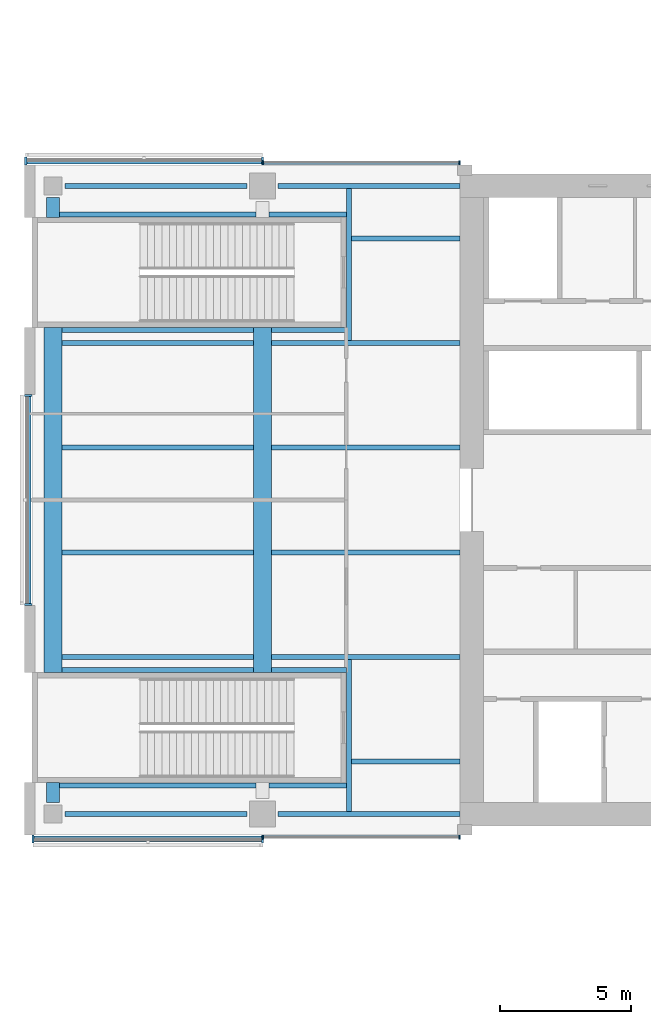
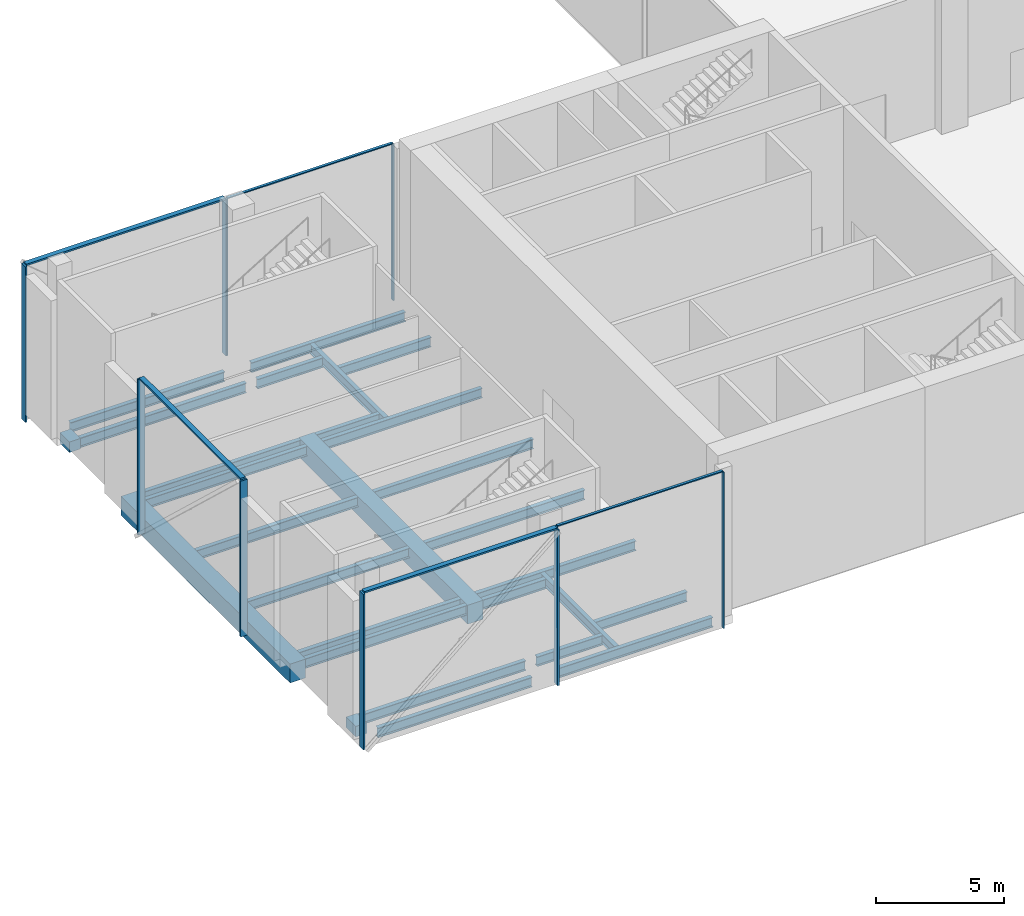
# One storey, part 4 of 25: 28 beams, 15 members, 5 elements without a shape of their own.
"""IFC4 building model written with IfcOpenShell, lengths in metres."""

from ifc_helpers import new_model, si_unit, direction, frame, origin, origin_2d, place, context, subcontext, project, spatial, rectangle, i_section, extrude, material, material_profile, profile_set, type_object, element, aggregate, save


model = new_model("IFC4")

# Units and contexts
model_context = context("Model", 3, precision=1e-05, world=origin(), true_north=direction((0.0, 1.0)))
body_context = subcontext(model_context, "Body", "Model", "MODEL_VIEW")
ifc_project = project(units=[si_unit("LENGTHUNIT", "METRE"), si_unit("AREAUNIT", "SQUARE_METRE"), si_unit("VOLUMEUNIT", "CUBIC_METRE"), si_unit("PLANEANGLEUNIT", "RADIAN"), si_unit("MASSUNIT", "GRAM", prefix="KILO")], contexts=[model_context])

# Site, building, storey
site_placement = place(None, origin())
site = spatial("IfcSite", under=ifc_project, at=site_placement, CompositionType="ELEMENT")
building_placement = place(site_placement, origin())
building = spatial("IfcBuilding", under=site, at=building_placement, Name="Crosswind Convention Tower", CompositionType="ELEMENT")
storey_placement = place(building_placement, frame((0.0, 0.0, 10.0)))
storey = spatial("IfcBuildingStorey", under=building, at=storey_placement, Name="L01", CompositionType="ELEMENT", Elevation=10.0)

# Beams
ifc_material_1 = material(Name="Steel S355", Category="steel")
ifc_material_profile_1 = material_profile(ifc_material_1, i_section(OverallWidth=0.19287109375, OverallDepth=0.467529296875, WebThickness=0.011474609375, FlangeThickness=0.01953125, FilletRadius=0.01025390625, at=origin_2d()), Name="UB 457x191x98")
ifc_profile_set_1 = profile_set([ifc_material_profile_1], Name="Steel S355")
beam_type_1 = type_object("IfcBeamType", Name="Edge beam UB 457x191x98", PredefinedType="SPANDREL", material=ifc_profile_set_1)
for number, where, z_axis, x_axis, name in (
    (1, (81.449951171875, 88.0, -0.6337890625), (1.0, 0.0, 0.0), (0.0, 1.0, 0.0), "B20 L01 edge beam 1"),
    (2, (81.449951171875, 112.0, -0.6337890625), (1.0, 0.0, 0.0), (0.0, 1.0, 0.0), "B20 L01 edge beam 2"),
    (3, (89.60009765625, 88.0, -0.6337890625), (1.0, 0.0, 0.0), (0.0, 1.0, 0.0), "B20 L01 edge beam 3"),
    (4, (89.60009765625, 112.0, -0.6337890625), (1.0, 0.0, 0.0), (0.0, 1.0, 0.0), "B20 L01 edge beam 4"),
):
    element("IfcBeam", number, at=place(storey_placement, frame(where, z_axis=z_axis, x_axis=x_axis)), inside=storey, type_object=beam_type_1, Name=name, PredefinedType="SPANDREL", context=body_context, shape_type="SweptSolid", body=[
        extrude(i_section(OverallWidth=0.19287109375, OverallDepth=0.467529296875, WebThickness=0.011474609375, FlangeThickness=0.01953125, FilletRadius=0.01025390625, at=origin_2d()), origin(), (0.0, 0.0, 1.0), 6.949951171875),
    ])

# Curtain wall, members
ifc_material_2 = material(Name="Aluminium unitised curtain wall", Category="aluminium")
curtain_wall_type_1 = type_object("IfcCurtainWallType", Name="CORE END SLOT WALL 160", PredefinedType="USERDEFINED", material=ifc_material_2)
curtain_wall_1_placement = place(storey_placement, origin())
curtain_wall_1 = element("IfcCurtainWall", 5, at=curtain_wall_1_placement, inside=storey, type_object=curtain_wall_type_1, Name="CW6 L01 W-N.2-1 slot", ObjectType="UNITISED", PredefinedType="USERDEFINED")
ifc_material_3 = material(Name="Aluminium mullion", Category="aluminium")
ifc_material_profile_2 = material_profile(ifc_material_3, rectangle(XDim=0.159912109375, YDim=0.050048828125, at=origin_2d()), Name="AL 160X50")
ifc_profile_set_2 = profile_set([ifc_material_profile_2], Name="Aluminium mullion")
member_type_1 = type_object("IfcMemberType", Name="MULLION 50X160", PredefinedType="MULLION", material=ifc_profile_set_2)
member_1_placement = place(storey_placement, frame((96.52490234375, 112.8798828125, -0.39990234375), z_axis=(0.0, 0.0, 1.0), x_axis=(0.0, 1.0, 0.0)))
member_1 = element("IfcMember", 6, at=member_1_placement, type_object=member_type_1, Name="CW6 mullion 1", PredefinedType="MULLION", context=body_context, shape_type="SweptSolid", body=[
    extrude(rectangle(XDim=0.159912109375, YDim=0.050048828125, at=origin_2d()), origin(), (0.0, 0.0, 1.0), 7.449951171875),
])
member_2_placement = place(storey_placement, frame((89.02490234375, 112.8798828125, -0.39990234375), z_axis=(0.0, 0.0, 1.0), x_axis=(0.0, 1.0, 0.0)))
member_2 = element("IfcMember", 7, at=member_2_placement, type_object=member_type_1, Name="CW6 mullion 2", PredefinedType="MULLION", context=body_context, shape_type="SweptSolid", body=[
    extrude(rectangle(XDim=0.159912109375, YDim=0.050048828125, at=origin_2d()), origin(), (0.0, 0.0, 1.0), 7.449951171875),
])

curtain_wall_2_placement = place(storey_placement, origin())
curtain_wall_2 = element("IfcCurtainWall", 8, at=curtain_wall_2_placement, inside=storey, type_object=curtain_wall_type_1, Name="CW6 L01 W-S.1-2 slot", ObjectType="UNITISED", PredefinedType="USERDEFINED")
member_3_placement = place(storey_placement, frame((89.02490234375, 87.1201171875, -0.39990234375), z_axis=(0.0, 0.0, 1.0), x_axis=(0.0, -1.0, 0.0)))
member_3 = element("IfcMember", 9, at=member_3_placement, type_object=member_type_1, Name="CW6 mullion 1", PredefinedType="MULLION", context=body_context, shape_type="SweptSolid", body=[
    extrude(rectangle(XDim=0.159912109375, YDim=0.050048828125, at=origin_2d()), origin(), (0.0, 0.0, 1.0), 7.449951171875),
])
member_4_placement = place(storey_placement, frame((96.52490234375, 87.1201171875, -0.39990234375), z_axis=(0.0, 0.0, 1.0), x_axis=(0.0, -1.0, 0.0)))
member_4 = element("IfcMember", 10, at=member_4_placement, type_object=member_type_1, Name="CW6 mullion 2", PredefinedType="MULLION", context=body_context, shape_type="SweptSolid", body=[
    extrude(rectangle(XDim=0.159912109375, YDim=0.050048828125, at=origin_2d()), origin(), (0.0, 0.0, 1.0), 7.449951171875),
])

curtain_wall_type_2 = type_object("IfcCurtainWallType", Name="PODIUM UNITISED WALL 300", PredefinedType="USERDEFINED", material=ifc_material_2)
curtain_wall_3_placement = place(storey_placement, origin())
curtain_wall_3 = element("IfcCurtainWall", 11, at=curtain_wall_3_placement, inside=storey, type_object=curtain_wall_type_2, Name="CW1 L01 W-N 2", ObjectType="UNITISED", PredefinedType="USERDEFINED")
ifc_material_profile_3 = material_profile(ifc_material_3, rectangle(XDim=0.300048828125, YDim=0.080078125, at=origin_2d()), Name="AL 300X80")
ifc_profile_set_3 = profile_set([ifc_material_profile_3], Name="Aluminium mullion")
member_type_2 = type_object("IfcMemberType", Name="MULLION 80X300", PredefinedType="MULLION", material=ifc_profile_set_3)
member_5_placement = place(storey_placement, frame((89.0, 112.949951171875, -0.39990234375), z_axis=(0.0, 0.0, 1.0), x_axis=(0.0, 1.0, 0.0)))
member_5 = element("IfcMember", 12, at=member_5_placement, type_object=member_type_2, Name="CW1 mullion 1", PredefinedType="MULLION", context=body_context, shape_type="SweptSolid", body=[
    extrude(rectangle(XDim=0.300048828125, YDim=0.080078125, at=origin_2d()), origin(), (0.0, 0.0, 1.0), 7.419921875),
])
member_6_placement = place(storey_placement, frame((79.955078125, 112.949951171875, -0.39990234375), z_axis=(0.0, 0.0, 1.0), x_axis=(0.0, 1.0, 0.0)))
member_6 = element("IfcMember", 13, at=member_6_placement, type_object=member_type_2, Name="CW1 mullion 2", PredefinedType="MULLION", context=body_context, shape_type="SweptSolid", body=[
    extrude(rectangle(XDim=0.300048828125, YDim=0.080078125, at=origin_2d()), origin(), (0.0, 0.0, 1.0), 7.419921875),
])

curtain_wall_4_placement = place(storey_placement, origin())
curtain_wall_4 = element("IfcCurtainWall", 14, at=curtain_wall_4_placement, inside=storey, type_object=curtain_wall_type_2, Name="CW1 L01 W-TIP 1", ObjectType="UNITISED", PredefinedType="USERDEFINED")
member_7_placement = place(storey_placement, frame((80.050048828125, 104.0, -0.39990234375), z_axis=(0.0, 0.0, 1.0), x_axis=(-1.0, 0.0, 0.0)))
member_7 = element("IfcMember", 15, at=member_7_placement, type_object=member_type_2, Name="CW1 mullion 1", PredefinedType="MULLION", context=body_context, shape_type="SweptSolid", body=[
    extrude(rectangle(XDim=0.300048828125, YDim=0.080078125, at=origin_2d()), origin(), (0.0, 0.0, 1.0), 7.419921875),
])
member_8_placement = place(storey_placement, frame((80.050048828125, 96.0, -0.39990234375), z_axis=(0.0, 0.0, 1.0), x_axis=(-1.0, 0.0, 0.0)))
member_8 = element("IfcMember", 16, at=member_8_placement, type_object=member_type_2, Name="CW1 mullion 2", PredefinedType="MULLION", context=body_context, shape_type="SweptSolid", body=[
    extrude(rectangle(XDim=0.300048828125, YDim=0.080078125, at=origin_2d()), origin(), (0.0, 0.0, 1.0), 7.419921875),
])

curtain_wall_5_placement = place(storey_placement, origin())
curtain_wall_5 = element("IfcCurtainWall", 17, at=curtain_wall_5_placement, inside=storey, type_object=curtain_wall_type_2, Name="CW1 L01 W-S 1", ObjectType="UNITISED", PredefinedType="USERDEFINED")
member_9_placement = place(storey_placement, frame((80.239990234375, 87.050048828125, -0.39990234375), z_axis=(0.0, 0.0, 1.0), x_axis=(0.0, -1.0, 0.0)))
member_9 = element("IfcMember", 18, at=member_9_placement, type_object=member_type_2, Name="CW1 mullion 1", PredefinedType="MULLION", context=body_context, shape_type="SweptSolid", body=[
    extrude(rectangle(XDim=0.300048828125, YDim=0.080078125, at=origin_2d()), origin(), (0.0, 0.0, 1.0), 7.419921875),
])
member_10_placement = place(storey_placement, frame((89.0, 87.050048828125, -0.39990234375), z_axis=(0.0, 0.0, 1.0), x_axis=(0.0, -1.0, 0.0)))
member_10 = element("IfcMember", 19, at=member_10_placement, type_object=member_type_2, Name="CW1 mullion 2", PredefinedType="MULLION", context=body_context, shape_type="SweptSolid", body=[
    extrude(rectangle(XDim=0.300048828125, YDim=0.080078125, at=origin_2d()), origin(), (0.0, 0.0, 1.0), 7.419921875),
])

# Beams
ifc_material_4 = material(Name="Concrete C60/75", Category="concrete")
ifc_material_profile_4 = material_profile(ifc_material_4, rectangle(XDim=0.699951171875, YDim=0.89990234375, at=origin_2d()), Name="RC 700X900")
ifc_profile_set_4 = profile_set([ifc_material_profile_4], Name="Concrete C60/75")
beam_type_2 = type_object("IfcBeamType", Name="Prestressed concrete girder between stair walls RC 700X900", PredefinedType="BEAM", material=ifc_profile_set_4)
for number, where, z_axis, x_axis, name in (
    (20, (81.0, 93.39990234375, -0.85009765625), (0.0, 1.0, 0.0), (-1.0, 0.0, 0.0), "B41 L01 prestressed concrete girder between stair walls 1"),
    (21, (89.0, 93.39990234375, -0.85009765625), (0.0, 1.0, 0.0), (-1.0, 0.0, 0.0), "B41 L01 prestressed concrete girder between stair walls 2"),
):
    element("IfcBeam", number, at=place(storey_placement, frame(where, z_axis=z_axis, x_axis=x_axis)), inside=storey, type_object=beam_type_2, Name=name, PredefinedType="BEAM", context=body_context, shape_type="SweptSolid", body=[
        extrude(rectangle(XDim=0.699951171875, YDim=0.89990234375, at=origin_2d()), origin(), (0.0, 0.0, 1.0), 13.2001953125),
    ])
ifc_material_profile_5 = material_profile(ifc_material_1, i_section(OverallWidth=0.19140625, OverallDepth=0.460205078125, WebThickness=0.010009765625, FlangeThickness=0.01611328125, FilletRadius=0.01025390625, at=origin_2d()), Name="UB 457x191x82")
ifc_profile_set_5 = profile_set([ifc_material_profile_5], Name="Steel S355")
beam_type_3 = type_object("IfcBeamType", Name="Secondary beam UB 457x191x82", PredefinedType="JOIST", material=ifc_profile_set_5)
for number, where, z_axis, x_axis, name in (
    (22, (81.35009765625, 94.0, -0.630126953125), (1.0, 0.0, 0.0), (0.0, 1.0, 0.0), "B13 L01 secondary beam 1"),
    (23, (81.35009765625, 98.0, -0.630126953125), (1.0, 0.0, 0.0), (0.0, 1.0, 0.0), "B13 L01 secondary beam 2"),
    (24, (81.35009765625, 102.0, -0.630126953125), (1.0, 0.0, 0.0), (0.0, 1.0, 0.0), "B13 L01 secondary beam 3"),
    (25, (81.35009765625, 106.0, -0.630126953125), (1.0, 0.0, 0.0), (0.0, 1.0, 0.0), "B13 L01 secondary beam 4"),
):
    element("IfcBeam", number, at=place(storey_placement, frame(where, z_axis=z_axis, x_axis=x_axis)), inside=storey, type_object=beam_type_3, Name=name, PredefinedType="JOIST", context=body_context, shape_type="SweptSolid", body=[
        extrude(i_section(OverallWidth=0.19140625, OverallDepth=0.460205078125, WebThickness=0.010009765625, FlangeThickness=0.01611328125, FilletRadius=0.01025390625, at=origin_2d()), origin(), (0.0, 0.0, 1.0), 7.2998046875),
    ])
for number, where, z_axis, x_axis, name in (
    (26, (89.35009765625, 94.0, -0.630126953125), (1.0, 0.0, 0.0), (0.0, 1.0, 0.0), "B13 L01 secondary beam 5"),
    (27, (89.35009765625, 98.0, -0.630126953125), (1.0, 0.0, 0.0), (0.0, 1.0, 0.0), "B13 L01 secondary beam 6"),
    (28, (89.35009765625, 102.0, -0.630126953125), (1.0, 0.0, 0.0), (0.0, 1.0, 0.0), "B13 L01 secondary beam 7"),
    (29, (89.35009765625, 106.0, -0.630126953125), (1.0, 0.0, 0.0), (0.0, 1.0, 0.0), "B13 L01 secondary beam 8"),
):
    element("IfcBeam", number, at=place(storey_placement, frame(where, z_axis=z_axis, x_axis=x_axis)), inside=storey, type_object=beam_type_3, Name=name, PredefinedType="JOIST", context=body_context, shape_type="SweptSolid", body=[
        extrude(i_section(OverallWidth=0.19140625, OverallDepth=0.460205078125, WebThickness=0.010009765625, FlangeThickness=0.01611328125, FilletRadius=0.01025390625, at=origin_2d()), origin(), (0.0, 0.0, 1.0), 7.199951171875),
    ])
for number, where, z_axis, x_axis, name in (
    (30, (92.406005859375, 90.0, -0.630126953125), (1.0, 0.0, 0.0), (0.0, 1.0, 0.0), "B13 L01 secondary beam 9"),
    (31, (92.406005859375, 110.0, -0.630126953125), (1.0, 0.0, 0.0), (0.0, 1.0, 0.0), "B13 L01 secondary beam 10"),
):
    element("IfcBeam", number, at=place(storey_placement, frame(where, z_axis=z_axis, x_axis=x_axis)), inside=storey, type_object=beam_type_3, Name=name, PredefinedType="JOIST", context=body_context, shape_type="SweptSolid", body=[
        extrude(i_section(OverallWidth=0.19140625, OverallDepth=0.460205078125, WebThickness=0.010009765625, FlangeThickness=0.01611328125, FilletRadius=0.01025390625, at=origin_2d()), origin(), (0.0, 0.0, 1.0), 4.14404296875),
    ])
ifc_material_profile_6 = material_profile(ifc_material_4, rectangle(XDim=0.5, YDim=0.5, at=origin_2d()), Name="RC 500X500")
ifc_profile_set_6 = profile_set([ifc_material_profile_6], Name="Concrete C60/75")
beam_type_4 = type_object("IfcBeamType", Name="Slab edge tie beam RC 500X500", PredefinedType="BEAM", material=ifc_profile_set_6)
for number, where, z_axis, x_axis, name in (
    (32, (81.0, 88.449951171875, -0.64990234375), (0.0, 1.0, 0.0), (-1.0, 0.0, 0.0), "B42 L01 slab edge tie beam 1"),
    (33, (81.0, 110.800048828125, -0.64990234375), (0.0, 1.0, 0.0), (-1.0, 0.0, 0.0), "B42 L01 slab edge tie beam 2"),
):
    element("IfcBeam", number, at=place(storey_placement, frame(where, z_axis=z_axis, x_axis=x_axis)), inside=storey, type_object=beam_type_4, Name=name, PredefinedType="BEAM", context=body_context, shape_type="SweptSolid", body=[
        extrude(rectangle(XDim=0.5, YDim=0.5, at=origin_2d()), origin(), (0.0, 0.0, 1.0), 0.75),
    ])

# Member
ifc_material_5 = material(Name="Aluminium transom", Category="aluminium")
ifc_material_profile_7 = material_profile(ifc_material_5, rectangle(XDim=0.1201171875, YDim=0.050048828125, at=origin_2d()), Name="AL 120X50")
ifc_profile_set_7 = profile_set([ifc_material_profile_7], Name="Aluminium transom")
member_type_3 = type_object("IfcMemberType", Name="TRANSOM 50X120", PredefinedType="USERDEFINED", material=ifc_profile_set_7)
member_11_placement = place(storey_placement, frame((96.5, 112.8798828125, 7.074951171875), z_axis=(-1.0, 0.0, 0.0), x_axis=(0.0, -1.0, 0.0)))
member_11 = element("IfcMember", 34, at=member_11_placement, type_object=member_type_3, Name="CW6 transom", ObjectType="TRANSOM", PredefinedType="USERDEFINED", context=body_context, shape_type="SweptSolid", body=[
    extrude(rectangle(XDim=0.1201171875, YDim=0.050048828125, at=origin_2d()), origin(), (0.0, 0.0, 1.0), 7.449951171875),
])

aggregate(curtain_wall_1, [member_1, member_2, member_11])

member_12_placement = place(storey_placement, frame((89.050048828125, 87.1201171875, 7.074951171875), z_axis=(1.0, 0.0, 0.0), x_axis=(0.0, 1.0, 0.0)))
member_12 = element("IfcMember", 35, at=member_12_placement, type_object=member_type_3, Name="CW6 transom", ObjectType="TRANSOM", PredefinedType="USERDEFINED", context=body_context, shape_type="SweptSolid", body=[
    extrude(rectangle(XDim=0.1201171875, YDim=0.050048828125, at=origin_2d()), origin(), (0.0, 0.0, 1.0), 7.449951171875),
])

aggregate(curtain_wall_2, [member_3, member_4, member_12])

ifc_material_profile_8 = material_profile(ifc_material_5, rectangle(XDim=0.219970703125, YDim=0.080078125, at=origin_2d()), Name="AL 220X80")
ifc_profile_set_8 = profile_set([ifc_material_profile_8], Name="Aluminium transom")
member_type_4 = type_object("IfcMemberType", Name="TRANSOM 80X220", PredefinedType="USERDEFINED", material=ifc_profile_set_8)
member_13_placement = place(storey_placement, frame((88.9599609375, 112.949951171875, 7.06005859375), z_axis=(-1.0, 0.0, 0.0), x_axis=(0.0, -1.0, 0.0)))
member_13 = element("IfcMember", 36, at=member_13_placement, type_object=member_type_4, Name="CW1 transom", ObjectType="TRANSOM", PredefinedType="USERDEFINED", context=body_context, shape_type="SweptSolid", body=[
    extrude(rectangle(XDim=0.219970703125, YDim=0.080078125, at=origin_2d()), origin(), (0.0, 0.0, 1.0), 8.96484375),
])

aggregate(curtain_wall_3, [member_5, member_6, member_13])

member_14_placement = place(storey_placement, frame((80.050048828125, 103.9599609375, 7.06005859375), z_axis=(0.0, -1.0, 0.0), x_axis=(1.0, 0.0, 0.0)))
member_14 = element("IfcMember", 37, at=member_14_placement, type_object=member_type_4, Name="CW1 transom", ObjectType="TRANSOM", PredefinedType="USERDEFINED", context=body_context, shape_type="SweptSolid", body=[
    extrude(rectangle(XDim=0.219970703125, YDim=0.080078125, at=origin_2d()), origin(), (0.0, 0.0, 1.0), 7.919921875),
])

aggregate(curtain_wall_4, [member_7, member_8, member_14])

member_15_placement = place(storey_placement, frame((80.280029296875, 87.050048828125, 7.06005859375), z_axis=(1.0, 0.0, 0.0), x_axis=(0.0, 1.0, 0.0)))
member_15 = element("IfcMember", 38, at=member_15_placement, type_object=member_type_4, Name="CW1 transom", ObjectType="TRANSOM", PredefinedType="USERDEFINED", context=body_context, shape_type="SweptSolid", body=[
    extrude(rectangle(XDim=0.219970703125, YDim=0.080078125, at=origin_2d()), origin(), (0.0, 0.0, 1.0), 8.679931640625),
])

aggregate(curtain_wall_5, [member_9, member_10, member_15])

# Beams
ifc_material_profile_9 = material_profile(ifc_material_1, i_section(OverallWidth=0.19189453125, OverallDepth=0.463623046875, WebThickness=0.010498046875, FlangeThickness=0.017578125, FilletRadius=0.01025390625, at=origin_2d()), Name="UB 457x191x90")
ifc_profile_set_9 = profile_set([ifc_material_profile_9], Name="Steel S355")
beam_type_5 = type_object("IfcBeamType", Name="Trimmer beam UB 457x191x90", PredefinedType="BEAM", material=ifc_profile_set_9)
for number, where, z_axis, x_axis, name in (
    (39, (88.64990234375, 93.510009765625, -0.6318359375), (-1.0, 0.0, 0.0), (0.0, -1.0, 0.0), "B33 L01 trimmer beam 1"),
    (40, (88.64990234375, 106.489990234375, -0.6318359375), (-1.0, 0.0, 0.0), (0.0, -1.0, 0.0), "B33 L01 trimmer beam 2"),
):
    element("IfcBeam", number, at=place(storey_placement, frame(where, z_axis=z_axis, x_axis=x_axis)), inside=storey, type_object=beam_type_5, Name=name, PredefinedType="BEAM", context=body_context, shape_type="SweptSolid", body=[
        extrude(i_section(OverallWidth=0.19189453125, OverallDepth=0.463623046875, WebThickness=0.010498046875, FlangeThickness=0.017578125, FilletRadius=0.01025390625, at=origin_2d()), origin(), (0.0, 0.0, 1.0), 7.2998046875),
    ])
for number, where, z_axis, x_axis, name in (
    (41, (88.75, 89.090087890625, -0.6318359375), (-1.0, 0.0, 0.0), (0.0, -1.0, 0.0), "B33 L01 trimmer beam 3"),
    (42, (88.75, 110.909912109375, -0.6318359375), (-1.0, 0.0, 0.0), (0.0, -1.0, 0.0), "B33 L01 trimmer beam 4"),
):
    element("IfcBeam", number, at=place(storey_placement, frame(where, z_axis=z_axis, x_axis=x_axis)), inside=storey, type_object=beam_type_5, Name=name, PredefinedType="BEAM", context=body_context, shape_type="SweptSolid", body=[
        extrude(i_section(OverallWidth=0.19189453125, OverallDepth=0.463623046875, WebThickness=0.010498046875, FlangeThickness=0.017578125, FilletRadius=0.01025390625, at=origin_2d()), origin(), (0.0, 0.0, 1.0), 7.5),
    ])
beam_1_placement = place(storey_placement, frame((92.214111328125, 89.090087890625, -0.6318359375), z_axis=(-1.0, 0.0, 0.0), x_axis=(0.0, -1.0, 0.0)))
element("IfcBeam", 43, at=beam_1_placement, inside=storey, type_object=beam_type_5, Name="B33 L01 trimmer beam 5", PredefinedType="BEAM", context=body_context, shape_type="SweptSolid", body=[
    extrude(i_section(OverallWidth=0.19189453125, OverallDepth=0.463623046875, WebThickness=0.010498046875, FlangeThickness=0.017578125, FilletRadius=0.01025390625, at=origin_2d()), origin(), (0.0, 0.0, 1.0), 2.964111328125),
])
for number, where, z_axis, x_axis, name in (
    (44, (92.214111328125, 93.510009765625, -0.6318359375), (-1.0, 0.0, 0.0), (0.0, -1.0, 0.0), "B33 L01 trimmer beam 6"),
    (45, (92.214111328125, 106.489990234375, -0.6318359375), (-1.0, 0.0, 0.0), (0.0, -1.0, 0.0), "B33 L01 trimmer beam 7"),
):
    element("IfcBeam", number, at=place(storey_placement, frame(where, z_axis=z_axis, x_axis=x_axis)), inside=storey, type_object=beam_type_5, Name=name, PredefinedType="BEAM", context=body_context, shape_type="SweptSolid", body=[
        extrude(i_section(OverallWidth=0.19189453125, OverallDepth=0.463623046875, WebThickness=0.010498046875, FlangeThickness=0.017578125, FilletRadius=0.01025390625, at=origin_2d()), origin(), (0.0, 0.0, 1.0), 2.864013671875),
    ])
beam_2_placement = place(storey_placement, frame((92.214111328125, 110.909912109375, -0.6318359375), z_axis=(-1.0, 0.0, 0.0), x_axis=(0.0, -1.0, 0.0)))
element("IfcBeam", 46, at=beam_2_placement, inside=storey, type_object=beam_type_5, Name="B33 L01 trimmer beam 8", PredefinedType="BEAM", context=body_context, shape_type="SweptSolid", body=[
    extrude(i_section(OverallWidth=0.19189453125, OverallDepth=0.463623046875, WebThickness=0.010498046875, FlangeThickness=0.017578125, FilletRadius=0.01025390625, at=origin_2d()), origin(), (0.0, 0.0, 1.0), 2.964111328125),
])
for number, where, z_axis, x_axis, name in (
    (47, (92.31005859375, 88.096435546875, -0.6318359375), (0.0, 1.0, 0.0), (-1.0, 0.0, 0.0), "B33 L01 trimmer beam 9"),
    (48, (92.31005859375, 106.095703125, -0.6318359375), (0.0, 1.0, 0.0), (-1.0, 0.0, 0.0), "B33 L01 trimmer beam 10"),
):
    element("IfcBeam", number, at=place(storey_placement, frame(where, z_axis=z_axis, x_axis=x_axis)), inside=storey, type_object=beam_type_5, Name=name, PredefinedType="BEAM", context=body_context, shape_type="SweptSolid", body=[
        extrude(i_section(OverallWidth=0.19189453125, OverallDepth=0.463623046875, WebThickness=0.010498046875, FlangeThickness=0.017578125, FilletRadius=0.01025390625, at=origin_2d()), origin(), (0.0, 0.0, 1.0), 5.807861328125),
    ])

save(model, "model.ifc")
